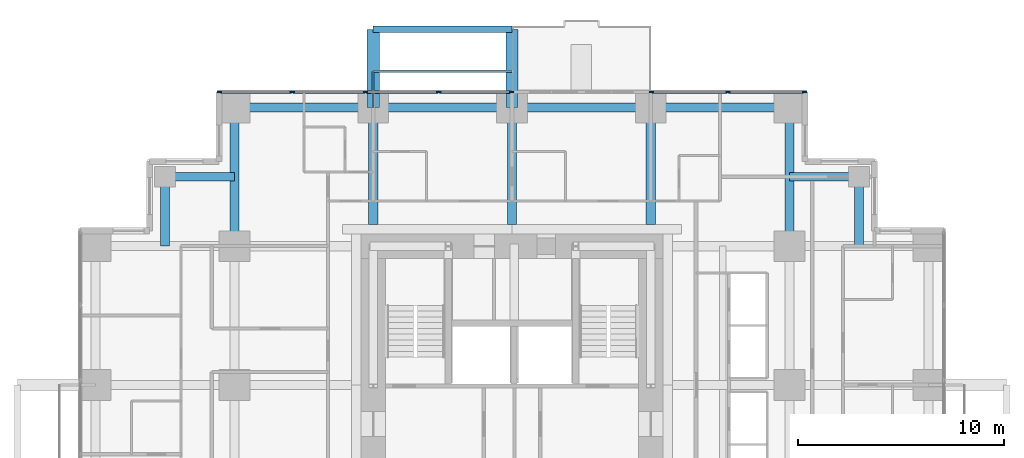
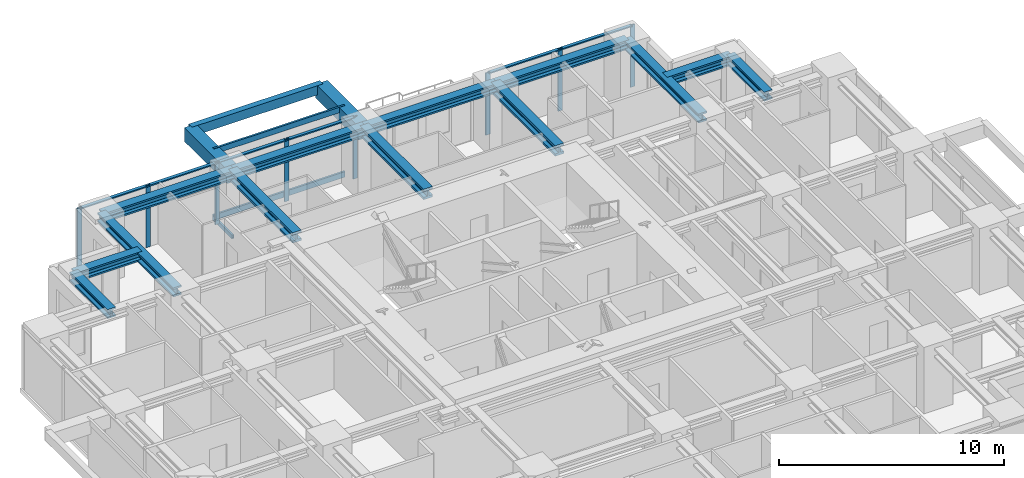
# One storey, part 5 of 12: 17 members, 16 beams, 2 elements without a shape of their own.
"""IFC4 building model written with IfcOpenShell, lengths in metres."""

import ifcopenshell
import ifcopenshell.guid

model = None  # the IFC model being written
_history = None  # IfcOwnerHistory: only IFC2X3 demands one
_inside = {}  # id of a spatial element -> (the spatial element, [elements in it])
_under = {}  # id of a project, library or spatial element -> (it, [spatial elements below it])
_declared = {}  # id of a project -> (the project, [libraries it declares])
_typed = {}  # id of a type object -> (the type object, [elements of that type])
_made_of = {}  # id of a material, layer set ... -> (it, [elements and type objects made of it])


def new_model(schema):
    """Start an empty IFC model of exactly this schema.

    Asked for "IFC4X3", IfcOpenShell would pick the latest addendum, in which some entities
    have other attributes; the version numbers below select the first issue.
    IFC2X3 requires an IfcOwnerHistory on every rooted entity: one is made here for all.
    """
    global model, _history
    if schema == "IFC4X3":
        model = ifcopenshell.file(schema_version=(4, 3, 0, 0))
    else:
        model = ifcopenshell.file(schema=schema)
    _inside.clear()
    _under.clear()
    _declared.clear()
    _typed.clear()
    _made_of.clear()
    _history = None
    if model.schema == "IFC2X3":
        org = make("IfcOrganization", Name="unknown")
        user = make(
            "IfcPersonAndOrganization",
            ThePerson=make("IfcPerson", FamilyName="unknown"),
            TheOrganization=org,
        )
        app = make(
            "IfcApplication",
            ApplicationDeveloper=org,
            Version="unknown",
            ApplicationFullName="unknown",
            ApplicationIdentifier="unknown",
        )
        _history = make(
            "IfcOwnerHistory",
            OwningUser=user,
            OwningApplication=app,
            ChangeAction="ADDED",
            CreationDate=0,
        )
    return model


def make(cls, **values):
    """One entity of the class cls with the attributes given. An attribute that is None is left unset."""
    return model.create_entity(
        cls, **{name: value for name, value in values.items() if value is not None}
    )


def rooted(cls, **values):
    """An entity with a GlobalId (a new one), such as an element, a storey or a relation."""
    return make(cls, GlobalId=ifcopenshell.guid.new(), OwnerHistory=_history, **values)


def si_unit(unit_type, name, prefix=None):
    """IfcSIUnit, for example si_unit("LENGTHUNIT", "METRE", prefix="MILLI")."""
    return make("IfcSIUnit", UnitType=unit_type, Prefix=prefix, Name=name)


def assignment(units):
    """IfcUnitAssignment: the units of a project."""
    return None if units is None else make("IfcUnitAssignment", Units=units)


def point(xyz):
    """IfcCartesianPoint."""
    return None if xyz is None else make("IfcCartesianPoint", Coordinates=xyz)


def direction(xyz):
    """IfcDirection."""
    return None if xyz is None else make("IfcDirection", DirectionRatios=xyz)


def frame(location, z_axis=None, x_axis=None):
    """IfcAxis2Placement3D, a coordinate frame: its origin and axes. An axis left out is left unset."""
    return make(
        "IfcAxis2Placement3D",
        Location=point(location),
        Axis=direction(z_axis),
        RefDirection=direction(x_axis),
    )


def frame_2d(location, x_axis=None):
    """IfcAxis2Placement2D, a coordinate frame in the plane: its origin and x axis."""
    return make(
        "IfcAxis2Placement2D", Location=point(location), RefDirection=direction(x_axis)
    )


def origin():
    """The frame at (0, 0, 0) with its axes left unset."""
    return frame((0.0, 0.0, 0.0))


def origin_2d():
    """The frame at (0, 0) in the plane with its x axis left unset."""
    return frame_2d((0.0, 0.0))


def place(relative_to, where):
    """IfcLocalPlacement: puts the frame where relative to a parent placement (None: the world)."""
    return make(
        "IfcLocalPlacement", PlacementRelTo=relative_to, RelativePlacement=where
    )


def context(
    kind, dimensions, precision=None, world=None, true_north=None, identifier=None
):
    """IfcGeometricRepresentationContext, for example the 3D "Model" context."""
    return make(
        "IfcGeometricRepresentationContext",
        ContextIdentifier=identifier,
        ContextType=kind,
        CoordinateSpaceDimension=dimensions,
        Precision=precision,
        WorldCoordinateSystem=world,
        TrueNorth=true_north,
    )


def subcontext(parent, identifier, kind, view, scale=None):
    """IfcGeometricRepresentationSubContext, for example "Body" below "Model"."""
    return make(
        "IfcGeometricRepresentationSubContext",
        ContextIdentifier=identifier,
        ContextType=kind,
        ParentContext=parent,
        TargetScale=scale,
        TargetView=view,
    )


def project(units=None, contexts=None):
    """IfcProject with its units and contexts."""
    return rooted(
        "IfcProject",
        Name="project",
        RepresentationContexts=contexts,
        UnitsInContext=assignment(units),
    )


def spatial(cls, under=None, at=None, **own):
    """A site, building, storey or space (cls), placed at a placement, below another one or the project."""
    s = rooted(cls, ObjectPlacement=at, **own)
    if under is not None:
        _under.setdefault(under.id(), (under, []))[1].append(s)
    return s


def profile(cls, at=None, kind="AREA", **sizes):
    """A parametric profile (cls). Its sizes go by their IFC names, for example OverallWidth=200.0."""
    return make(cls, ProfileType=kind, Position=at, **sizes)


def rectangle(**sizes):
    """IfcRectangleProfileDef."""
    return profile("IfcRectangleProfileDef", **sizes)


def hollow_rectangle(**sizes):
    """IfcRectangleHollowProfileDef."""
    return profile("IfcRectangleHollowProfileDef", **sizes)


def i_section(**sizes):
    """IfcIShapeProfileDef."""
    return profile("IfcIShapeProfileDef", **sizes)


def extrude(swept, where, along, depth):
    """IfcExtrudedAreaSolid: the profile swept, set in the frame where, extruded along a direction by depth."""
    return make(
        "IfcExtrudedAreaSolid",
        SweptArea=swept,
        Position=where,
        ExtrudedDirection=direction(along),
        Depth=depth,
    )


def shape(context_of_items, identifier, shape_type, items):
    """IfcShapeRepresentation: the items that make up one representation, for example the "Body"."""
    return make(
        "IfcShapeRepresentation",
        ContextOfItems=context_of_items,
        RepresentationIdentifier=identifier,
        RepresentationType=shape_type,
        Items=items,
    )


def material(Name=None, Category=None):
    """IfcMaterial."""
    return make("IfcMaterial", Name=Name, Category=Category)


def material_profile(
    of_material, cross_section, Name=None, Category=None, Priority=None
):
    """IfcMaterialProfile: a cross section and its material."""
    return make(
        "IfcMaterialProfile",
        Name=Name,
        Material=of_material,
        Profile=cross_section,
        Priority=Priority,
        Category=Category,
    )


def profile_set(profiles, Name=None, composite=None):
    """IfcMaterialProfileSet."""
    return make(
        "IfcMaterialProfileSet",
        Name=Name,
        MaterialProfiles=profiles,
        CompositeProfile=composite,
    )


def made_of(thing, what):
    """Note that an element or type object is made of a material, layer set ...; save() writes the relation."""
    if what is not None:
        _made_of.setdefault(what.id(), (what, []))[1].append(thing)
    return thing


def type_object(cls, material=None, **own):
    """A type object (cls), such as IfcWallType, which elements share."""
    return made_of(rooted(cls, **own), material)


def element(
    cls,
    number,
    at=None,
    inside=None,
    cuts=None,
    type_object=None,
    material=None,
    context=None,
    identifier="Body",
    shape_type=None,
    held_by="IfcProductDefinitionShape",
    body=None,
    shapes=None,
    **own,
):
    """One element of the class cls, such as IfcWall. Its Tag is "e" and its number.

    at: its placement. inside: the storey or other place that contains it. cuts: it is an
    opening in that element (IfcRelVoidsElement). A single representation is given by context,
    identifier, shape_type and body (its items); several are given by shapes. held_by: the class
    of the entity that holds the representations. save() writes the other relations.
    """
    e = rooted(cls, Tag="e%d" % number, ObjectPlacement=at, **own)
    if body is not None:
        shapes = [shape(context, identifier, shape_type, body)]
    if shapes is not None:
        e.Representation = make(held_by, Representations=shapes)
    if inside is not None:
        _inside.setdefault(inside.id(), (inside, []))[1].append(e)
    if cuts is not None:
        rooted(
            "IfcRelVoidsElement", RelatingBuildingElement=cuts, RelatedOpeningElement=e
        )
    if type_object is not None:
        _typed.setdefault(type_object.id(), (type_object, []))[1].append(e)
    return made_of(e, material)


def aggregate(whole, parts):
    """IfcRelAggregates: a whole, such as a stair, and the parts it consists of."""
    return rooted("IfcRelAggregates", RelatingObject=whole, RelatedObjects=parts)


def save(model, path):
    """Write the relations noted so far, then the file.

    IfcRelAggregates (storeys below a building ...), IfcRelContainedInSpatialStructure (elements
    in a storey), IfcRelDefinesByType, IfcRelAssociatesMaterial and IfcRelDeclares: one each for
    every whole, place, type object, material and project.
    """
    for whole, parts in _under.values():
        aggregate(whole, parts)
    for where, things in _inside.values():
        rooted(
            "IfcRelContainedInSpatialStructure",
            RelatedElements=things,
            RelatingStructure=where,
        )
    for kind, things in _typed.values():
        rooted("IfcRelDefinesByType", RelatedObjects=things, RelatingType=kind)
    for what, things in _made_of.values():
        rooted("IfcRelAssociatesMaterial", RelatedObjects=things, RelatingMaterial=what)
    for by, libraries in _declared.values():
        rooted("IfcRelDeclares", RelatingContext=by, RelatedDefinitions=libraries)
    model.write(path)


model = new_model("IFC4")

# Units and contexts
model_context = context("Model", 3, precision=1e-05, world=origin(), true_north=direction((0.0, 1.0)))
body_context = subcontext(model_context, "Body", "Model", "MODEL_VIEW")
ifc_project = project(units=[si_unit("LENGTHUNIT", "METRE"), si_unit("AREAUNIT", "SQUARE_METRE"), si_unit("VOLUMEUNIT", "CUBIC_METRE"), si_unit("PLANEANGLEUNIT", "RADIAN"), si_unit("MASSUNIT", "GRAM", prefix="KILO")], contexts=[model_context])

# Site, building, storey
site_placement = place(None, origin())
site = spatial("IfcSite", under=ifc_project, at=site_placement, CompositionType="ELEMENT")
building_placement = place(site_placement, origin())
building = spatial("IfcBuilding", under=site, at=building_placement, Name="Nyansa Garden Tower", CompositionType="ELEMENT")
storey_placement = place(building_placement, frame((0.0, 0.0, 112.5)))
storey = spatial("IfcBuildingStorey", under=building, at=storey_placement, Name="L30", CompositionType="ELEMENT", Elevation=112.5)

# Beams
ifc_material_1 = material(Name="Concrete C70/85", Category="concrete")
ifc_material_profile_1 = material_profile(ifc_material_1, rectangle(XDim=0.60009765625, YDim=0.75, at=origin_2d()), Name="RC 600x750")
ifc_profile_set_1 = profile_set([ifc_material_profile_1], Name="Concrete C70/85")
beam_type_1 = type_object("IfcBeamType", Name="Balcony cantilever beam CB1 RC 600x750", PredefinedType="BEAM", material=ifc_profile_set_1)
for number, where, z_axis, x_axis, name in (
    (1, (13.5, 33.75, 2.985107421875), (0.0, 1.0, 0.0), (-1.0, 0.0, 0.0), "Balcony cantilever beam L31"),
    (2, (20.25, 33.75, 2.985107421875), (0.0, 1.0, 0.0), (-1.0, 0.0, 0.0), "Balcony cantilever beam L31"),
):
    element("IfcBeam", number, at=place(storey_placement, frame(where, z_axis=z_axis, x_axis=x_axis)), inside=storey, type_object=beam_type_1, Name=name, PredefinedType="BEAM", context=body_context, shape_type="SweptSolid", body=[
        extrude(rectangle(XDim=0.60009765625, YDim=0.75, at=origin_2d()), origin(), (0.0, 0.0, 1.0), 3.800048828125),
    ])
ifc_material_2 = material(Name="Concrete C70/85", Category="concrete")
ifc_material_profile_2 = material_profile(ifc_material_2, rectangle(XDim=0.300048828125, YDim=0.5, at=origin_2d()), Name="RC 300x500")
ifc_profile_set_2 = profile_set([ifc_material_profile_2], Name="Concrete C70/85")
beam_type_2 = type_object("IfcBeamType", Name="Balcony edge beam BE1 RC 300x500", PredefinedType="BEAM", material=ifc_profile_set_2)
beam_placement = place(storey_placement, frame((13.5, 37.550048828125, 3.110107421875), z_axis=(1.0, 0.0, 0.0), x_axis=(0.0, 1.0, 0.0)))
element("IfcBeam", 3, at=beam_placement, inside=storey, type_object=beam_type_2, Name="Balcony edge beam L31", PredefinedType="BEAM", context=body_context, shape_type="SweptSolid", body=[
    extrude(rectangle(XDim=0.300048828125, YDim=0.5, at=origin_2d()), origin(), (0.0, 0.0, 1.0), 6.75),
])

# Curtain wall, members
ifc_material_3 = material(Name="Black anodised aluminium, dark tinted double glazing", Category="aluminium")
curtain_wall_type = type_object("IfcCurtainWallType", Name="Inner skin curtain wall ISW-B", PredefinedType="USERDEFINED", material=ifc_material_3)
curtain_wall_1_placement = place(storey_placement, origin())
curtain_wall_1 = element("IfcCurtainWall", 4, at=curtain_wall_1_placement, inside=storey, type_object=curtain_wall_type, Name="Inner skin curtain wall L30 N", ObjectType="UNITISED CURTAIN WALL", PredefinedType="USERDEFINED")
ifc_material_4 = material(Name="Black anodised aluminium", Category="aluminium")
ifc_material_profile_3 = material_profile(ifc_material_4, rectangle(XDim=0.06494140625, YDim=0.22509765625, at=origin_2d()), Name="Mullion 225x65")
ifc_profile_set_3 = profile_set([ifc_material_profile_3], Name="Black anodised aluminium")
member_type_1 = type_object("IfcMemberType", Name="Mullion ISW-B 225x65", PredefinedType="MULLION", material=ifc_profile_set_3)
member_1_placement = place(storey_placement, frame((20.217529296875, 34.5, 0.0), z_axis=(0.0, 0.0, 1.0), x_axis=(0.0, -1.0, 0.0)))
member_1 = element("IfcMember", 5, at=member_1_placement, type_object=member_type_1, Name="ISW-B mullion 1", PredefinedType="MULLION", context=body_context, shape_type="SweptSolid", body=[
    extrude(rectangle(XDim=0.06494140625, YDim=0.22509765625, at=origin_2d()), origin(), (0.0, 0.0, 1.0), 3.375),
])
member_2_placement = place(storey_placement, frame((16.6875, 34.5, 0.0), z_axis=(0.0, 0.0, 1.0), x_axis=(0.0, -1.0, 0.0)))
member_2 = element("IfcMember", 6, at=member_2_placement, type_object=member_type_1, Name="ISW-B mullion 2", PredefinedType="MULLION", context=body_context, shape_type="SweptSolid", body=[
    extrude(rectangle(XDim=0.06494140625, YDim=0.22509765625, at=origin_2d()), origin(), (0.0, 0.0, 1.0), 3.375),
])
member_3_placement = place(storey_placement, frame((13.125, 34.5, 0.0), z_axis=(0.0, 0.0, 1.0), x_axis=(0.0, -1.0, 0.0)))
member_3 = element("IfcMember", 7, at=member_3_placement, type_object=member_type_1, Name="ISW-B mullion 3", PredefinedType="MULLION", context=body_context, shape_type="SweptSolid", body=[
    extrude(rectangle(XDim=0.06494140625, YDim=0.22509765625, at=origin_2d()), origin(), (0.0, 0.0, 1.0), 3.375),
])
member_4_placement = place(storey_placement, frame((9.5625, 34.5, 0.0), z_axis=(0.0, 0.0, 1.0), x_axis=(0.0, -1.0, 0.0)))
member_4 = element("IfcMember", 8, at=member_4_placement, type_object=member_type_1, Name="ISW-B mullion 4", PredefinedType="MULLION", context=body_context, shape_type="SweptSolid", body=[
    extrude(rectangle(XDim=0.06494140625, YDim=0.22509765625, at=origin_2d()), origin(), (0.0, 0.0, 1.0), 3.375),
])
member_5_placement = place(storey_placement, frame((6.032470703125, 34.5, 0.0), z_axis=(0.0, 0.0, 1.0), x_axis=(0.0, -1.0, 0.0)))
member_5 = element("IfcMember", 9, at=member_5_placement, type_object=member_type_1, Name="ISW-B mullion 5", PredefinedType="MULLION", context=body_context, shape_type="SweptSolid", body=[
    extrude(rectangle(XDim=0.06494140625, YDim=0.22509765625, at=origin_2d()), origin(), (0.0, 0.0, 1.0), 3.375),
])

curtain_wall_2_placement = place(storey_placement, origin())
curtain_wall_2 = element("IfcCurtainWall", 10, at=curtain_wall_2_placement, inside=storey, type_object=curtain_wall_type, Name="Inner skin curtain wall L30 N", ObjectType="UNITISED CURTAIN WALL", PredefinedType="USERDEFINED")
member_6_placement = place(storey_placement, frame((34.467529296875, 34.5, 0.0), z_axis=(0.0, 0.0, 1.0), x_axis=(0.0, -1.0, 0.0)))
member_6 = element("IfcMember", 11, at=member_6_placement, type_object=member_type_1, Name="ISW-B mullion 1", PredefinedType="MULLION", context=body_context, shape_type="SweptSolid", body=[
    extrude(rectangle(XDim=0.06494140625, YDim=0.22509765625, at=origin_2d()), origin(), (0.0, 0.0, 1.0), 3.375),
])
member_7_placement = place(storey_placement, frame((30.75, 34.5, 0.0), z_axis=(0.0, 0.0, 1.0), x_axis=(0.0, -1.0, 0.0)))
member_7 = element("IfcMember", 12, at=member_7_placement, type_object=member_type_1, Name="ISW-B mullion 2", PredefinedType="MULLION", context=body_context, shape_type="SweptSolid", body=[
    extrude(rectangle(XDim=0.06494140625, YDim=0.22509765625, at=origin_2d()), origin(), (0.0, 0.0, 1.0), 3.375),
])
member_8_placement = place(storey_placement, frame((27.032470703125, 34.5, 0.0), z_axis=(0.0, 0.0, 1.0), x_axis=(0.0, -1.0, 0.0)))
member_8 = element("IfcMember", 13, at=member_8_placement, type_object=member_type_1, Name="ISW-B mullion 3", PredefinedType="MULLION", context=body_context, shape_type="SweptSolid", body=[
    extrude(rectangle(XDim=0.06494140625, YDim=0.22509765625, at=origin_2d()), origin(), (0.0, 0.0, 1.0), 3.375),
])

# Members
ifc_material_5 = material(Name="Steel S355, black powder coated", Category="steel")
ifc_material_profile_4 = material_profile(ifc_material_5, hollow_rectangle(XDim=0.10009765625, YDim=0.199951171875, WallThickness=0.008056640625, at=origin_2d()), Name="RHS 200x100x8")
ifc_profile_set_4 = profile_set([ifc_material_profile_4], Name="Steel S355, black powder coated")
member_type_2 = type_object("IfcMemberType", Name="Outer skin bracket arm RHS 200x100x8", PredefinedType="USERDEFINED", material=ifc_profile_set_4)
member_9_placement = place(storey_placement, frame((13.5, 33.75, -0.375), z_axis=(0.0, 1.0, 0.0), x_axis=(-1.0, 0.0, 0.0)))
element("IfcMember", 14, at=member_9_placement, inside=storey, type_object=member_type_2, Name="Outer skin bracket arm", ObjectType="OUTER SKIN BRACKET", PredefinedType="USERDEFINED", context=body_context, shape_type="SweptSolid", body=[
    extrude(hollow_rectangle(XDim=0.10009765625, YDim=0.199951171875, WallThickness=0.008056640625, at=origin_2d()), origin(), (0.0, 0.0, 1.0), 1.75),
])
ifc_material_6 = material(Name="Steel S355, black powder coated", Category="steel")
ifc_material_profile_5 = material_profile(ifc_material_6, hollow_rectangle(XDim=0.10009765625, YDim=0.300048828125, WallThickness=0.010009765625, at=origin_2d()), Name="RHS 300x100x10")
ifc_profile_set_5 = profile_set([ifc_material_profile_5], Name="Steel S355, black powder coated")
member_type_3 = type_object("IfcMemberType", Name="Outer skin rail RHS 300x100x10", PredefinedType="USERDEFINED", material=ifc_profile_set_5)
for number, where, z_axis, x_axis, name in (
    (15, (13.5, 35.5, -0.375), (1.0, 0.0, 0.0), (0.0, 1.0, 0.0), "Outer skin rail L30"),
    (16, (13.5, 35.5, 3.22509765625), (1.0, 0.0, 0.0), (0.0, 1.0, 0.0), "Outer skin rail L30 head"),
):
    element("IfcMember", number, at=place(storey_placement, frame(where, z_axis=z_axis, x_axis=x_axis)), inside=storey, type_object=member_type_3, Name=name, ObjectType="OUTER SKIN RAIL", PredefinedType="USERDEFINED", context=body_context, shape_type="SweptSolid", body=[
        extrude(hollow_rectangle(XDim=0.10009765625, YDim=0.300048828125, WallThickness=0.010009765625, at=origin_2d()), origin(), (0.0, 0.0, 1.0), 6.75),
    ])

# Beams
ifc_material_7 = material(Name="Steel S355", Category="steel")
ifc_material_profile_6 = material_profile(ifc_material_7, i_section(OverallWidth=0.431884765625, OverallDepth=0.498046875, WebThickness=0.0556640625, FlangeThickness=0.0888671875, FilletRadius=0.014892578125, at=origin_2d()), Name="HD 400x744")
ifc_profile_set_6 = profile_set([ifc_material_profile_6], Name="Steel S355")
beam_type_3 = type_object("IfcBeamType", Name="Steel beam SBB1-744 HD 400x744", PredefinedType="BEAM", material=ifc_profile_set_6)
for number, where, z_axis, x_axis, name in (
    (17, (6.75, 27.0, 3.1259765625), (0.0, 1.0, 0.0), (-1.0, 0.0, 0.0), "Steel beam 3/H-3/J L31"),
    (18, (33.75, 27.0, 3.1259765625), (0.0, 1.0, 0.0), (-1.0, 0.0, 0.0), "Steel beam 7/H-7/J L31"),
):
    element("IfcBeam", number, at=place(storey_placement, frame(where, z_axis=z_axis, x_axis=x_axis)), inside=storey, type_object=beam_type_3, Name=name, PredefinedType="BEAM", context=body_context, shape_type="SweptSolid", body=[
        extrude(i_section(OverallWidth=0.431884765625, OverallDepth=0.498046875, WebThickness=0.0556640625, FlangeThickness=0.0888671875, FilletRadius=0.014892578125, at=origin_2d()), origin(), (0.0, 0.0, 1.0), 6.75),
    ])
ifc_material_8 = material(Name="Steel S355", Category="steel")
ifc_material_profile_7 = material_profile(ifc_material_8, i_section(OverallWidth=0.4541015625, OverallDepth=0.569091796875, WebThickness=0.077880859375, FlangeThickness=0.125, FilletRadius=0.014892578125, at=origin_2d()), Name="HD 400x1086")
ifc_profile_set_7 = profile_set([ifc_material_profile_7], Name="Steel S355")
beam_type_4 = type_object("IfcBeamType", Name="Steel beam SCL-1086 HD 400x1086", PredefinedType="BEAM", material=ifc_profile_set_7)
for number, where, z_axis, x_axis, name in (
    (19, (13.5, 28.050048828125, 3.090576171875), (0.0, 1.0, 0.0), (-1.0, 0.0, 0.0), "Steel beam 4/28.050-4/J L31"),
    (20, (20.25, 28.050048828125, 3.090576171875), (0.0, 1.0, 0.0), (-1.0, 0.0, 0.0), "Steel beam 5/28.050-5/J L31"),
    (21, (27.0, 28.050048828125, 3.090576171875), (0.0, 1.0, 0.0), (-1.0, 0.0, 0.0), "Steel beam 6/28.050-6/J L31"),
):
    element("IfcBeam", number, at=place(storey_placement, frame(where, z_axis=z_axis, x_axis=x_axis)), inside=storey, type_object=beam_type_4, Name=name, PredefinedType="BEAM", context=body_context, shape_type="SweptSolid", body=[
        extrude(i_section(OverallWidth=0.4541015625, OverallDepth=0.569091796875, WebThickness=0.077880859375, FlangeThickness=0.125, FilletRadius=0.014892578125, at=origin_2d()), origin(), (0.0, 0.0, 1.0), 5.699951171875),
    ])
ifc_material_9 = material(Name="Steel S355", Category="steel")
ifc_material_profile_8 = material_profile(ifc_material_9, i_section(OverallWidth=0.431884765625, OverallDepth=0.498046875, WebThickness=0.0556640625, FlangeThickness=0.0888671875, FilletRadius=0.014892578125, at=origin_2d()), Name="HD 400x744")
ifc_profile_set_8 = profile_set([ifc_material_profile_8], Name="Steel S355")
beam_type_5 = type_object("IfcBeamType", Name="Steel beam SEBB-744 HD 400x744", PredefinedType="BEAM", material=ifc_profile_set_8)
for number, where, z_axis, x_axis, name in (
    (22, (6.75, 33.75, 3.1259765625), (1.0, 0.0, 0.0), (0.0, 1.0, 0.0), "Steel edge beam 3/J-4/J L31"),
    (23, (13.5, 33.75, 3.1259765625), (1.0, 0.0, 0.0), (0.0, 1.0, 0.0), "Steel edge beam 4/J-5/J L31"),
    (24, (20.25, 33.75, 3.1259765625), (1.0, 0.0, 0.0), (0.0, 1.0, 0.0), "Steel edge beam 5/J-6/J L31"),
    (25, (27.0, 33.75, 3.1259765625), (1.0, 0.0, 0.0), (0.0, 1.0, 0.0), "Steel edge beam 6/J-7/J L31"),
):
    element("IfcBeam", number, at=place(storey_placement, frame(where, z_axis=z_axis, x_axis=x_axis)), inside=storey, type_object=beam_type_5, Name=name, PredefinedType="BEAM", context=body_context, shape_type="SweptSolid", body=[
        extrude(i_section(OverallWidth=0.431884765625, OverallDepth=0.498046875, WebThickness=0.0556640625, FlangeThickness=0.0888671875, FilletRadius=0.014892578125, at=origin_2d()), origin(), (0.0, 0.0, 1.0), 6.75),
    ])
ifc_material_10 = material(Name="Steel S355", Category="steel")
ifc_material_profile_9 = material_profile(ifc_material_10, i_section(OverallWidth=0.431884765625, OverallDepth=0.498046875, WebThickness=0.0556640625, FlangeThickness=0.0888671875, FilletRadius=0.014892578125, at=origin_2d()), Name="HD 400x744")
ifc_profile_set_9 = profile_set([ifc_material_profile_9], Name="Steel S355")
beam_type_6 = type_object("IfcBeamType", Name="Steel beam SSB1-744 HD 400x744", PredefinedType="BEAM", material=ifc_profile_set_9)
for number, where, z_axis, x_axis, name in (
    (26, (37.125, 30.375, 3.1259765625), (0.0, -1.0, 0.0), (1.0, 0.0, 0.0), "Steel step beam 37.125/30.375 L31"),
    (27, (37.125, 30.375, 3.1259765625), (-1.0, 0.0, 0.0), (0.0, -1.0, 0.0), "Steel step beam 37.125/30.375 L31"),
    (28, (3.375, 30.375, 3.1259765625), (0.0, -1.0, 0.0), (1.0, 0.0, 0.0), "Steel step beam 3.375/30.375 L31"),
    (29, (3.375, 30.375, 3.1259765625), (1.0, 0.0, 0.0), (0.0, 1.0, 0.0), "Steel step beam 3.375/30.375 L31"),
):
    element("IfcBeam", number, at=place(storey_placement, frame(where, z_axis=z_axis, x_axis=x_axis)), inside=storey, type_object=beam_type_6, Name=name, PredefinedType="BEAM", context=body_context, shape_type="SweptSolid", body=[
        extrude(i_section(OverallWidth=0.431884765625, OverallDepth=0.498046875, WebThickness=0.0556640625, FlangeThickness=0.0888671875, FilletRadius=0.014892578125, at=origin_2d()), origin(), (0.0, 0.0, 1.0), 3.375),
    ])

# Member
ifc_material_11 = material(Name="Black anodised aluminium", Category="aluminium")
ifc_material_profile_10 = material_profile(ifc_material_11, rectangle(XDim=0.1650390625, YDim=0.06494140625, at=origin_2d()), Name="Transom 165x65")
ifc_profile_set_10 = profile_set([ifc_material_profile_10], Name="Black anodised aluminium")
member_type_4 = type_object("IfcMemberType", Name="Transom ISW-B 165x65", PredefinedType="USERDEFINED", material=ifc_profile_set_10)
member_10_placement = place(storey_placement, frame((20.18505859375, 34.5, 3.342529296875), z_axis=(-1.0, 0.0, 0.0), x_axis=(0.0, -1.0, 0.0)))
member_10 = element("IfcMember", 30, at=member_10_placement, type_object=member_type_4, Name="ISW-B transom 1", ObjectType="TRANSOM", PredefinedType="USERDEFINED", context=body_context, shape_type="SweptSolid", body=[
    extrude(rectangle(XDim=0.1650390625, YDim=0.06494140625, at=origin_2d()), origin(), (0.0, 0.0, 1.0), 3.465087890625),
])

member_11_placement = place(storey_placement, frame((16.655029296875, 34.5, 3.342529296875), z_axis=(-1.0, 0.0, 0.0), x_axis=(0.0, -1.0, 0.0)))
member_11 = element("IfcMember", 31, at=member_11_placement, type_object=member_type_4, Name="ISW-B transom 2", ObjectType="TRANSOM", PredefinedType="USERDEFINED", context=body_context, shape_type="SweptSolid", body=[
    extrude(rectangle(XDim=0.1650390625, YDim=0.06494140625, at=origin_2d()), origin(), (0.0, 0.0, 1.0), 3.49755859375),
])

member_12_placement = place(storey_placement, frame((13.092529296875, 34.5, 3.342529296875), z_axis=(-1.0, 0.0, 0.0), x_axis=(0.0, -1.0, 0.0)))
member_12 = element("IfcMember", 32, at=member_12_placement, type_object=member_type_4, Name="ISW-B transom 3", ObjectType="TRANSOM", PredefinedType="USERDEFINED", context=body_context, shape_type="SweptSolid", body=[
    extrude(rectangle(XDim=0.1650390625, YDim=0.06494140625, at=origin_2d()), origin(), (0.0, 0.0, 1.0), 3.49755859375),
])

member_13_placement = place(storey_placement, frame((9.530029296875, 34.5, 3.342529296875), z_axis=(-1.0, 0.0, 0.0), x_axis=(0.0, -1.0, 0.0)))
member_13 = element("IfcMember", 33, at=member_13_placement, type_object=member_type_4, Name="ISW-B transom 4", ObjectType="TRANSOM", PredefinedType="USERDEFINED", context=body_context, shape_type="SweptSolid", body=[
    extrude(rectangle(XDim=0.1650390625, YDim=0.06494140625, at=origin_2d()), origin(), (0.0, 0.0, 1.0), 3.465087890625),
])

aggregate(curtain_wall_1, [member_1, member_2, member_3, member_4, member_5, member_10, member_11, member_12, member_13])

member_14_placement = place(storey_placement, frame((34.43505859375, 34.5, 3.342529296875), z_axis=(-1.0, 0.0, 0.0), x_axis=(0.0, -1.0, 0.0)))
member_14 = element("IfcMember", 34, at=member_14_placement, type_object=member_type_4, Name="ISW-B transom 1", ObjectType="TRANSOM", PredefinedType="USERDEFINED", context=body_context, shape_type="SweptSolid", body=[
    extrude(rectangle(XDim=0.1650390625, YDim=0.06494140625, at=origin_2d()), origin(), (0.0, 0.0, 1.0), 3.652587890625),
])

member_15_placement = place(storey_placement, frame((30.717529296875, 34.5, 3.342529296875), z_axis=(-1.0, 0.0, 0.0), x_axis=(0.0, -1.0, 0.0)))
member_15 = element("IfcMember", 35, at=member_15_placement, type_object=member_type_4, Name="ISW-B transom 2", ObjectType="TRANSOM", PredefinedType="USERDEFINED", context=body_context, shape_type="SweptSolid", body=[
    extrude(rectangle(XDim=0.1650390625, YDim=0.06494140625, at=origin_2d()), origin(), (0.0, 0.0, 1.0), 3.652587890625),
])

aggregate(curtain_wall_2, [member_6, member_7, member_8, member_14, member_15])

save(model, "model.ifc")
